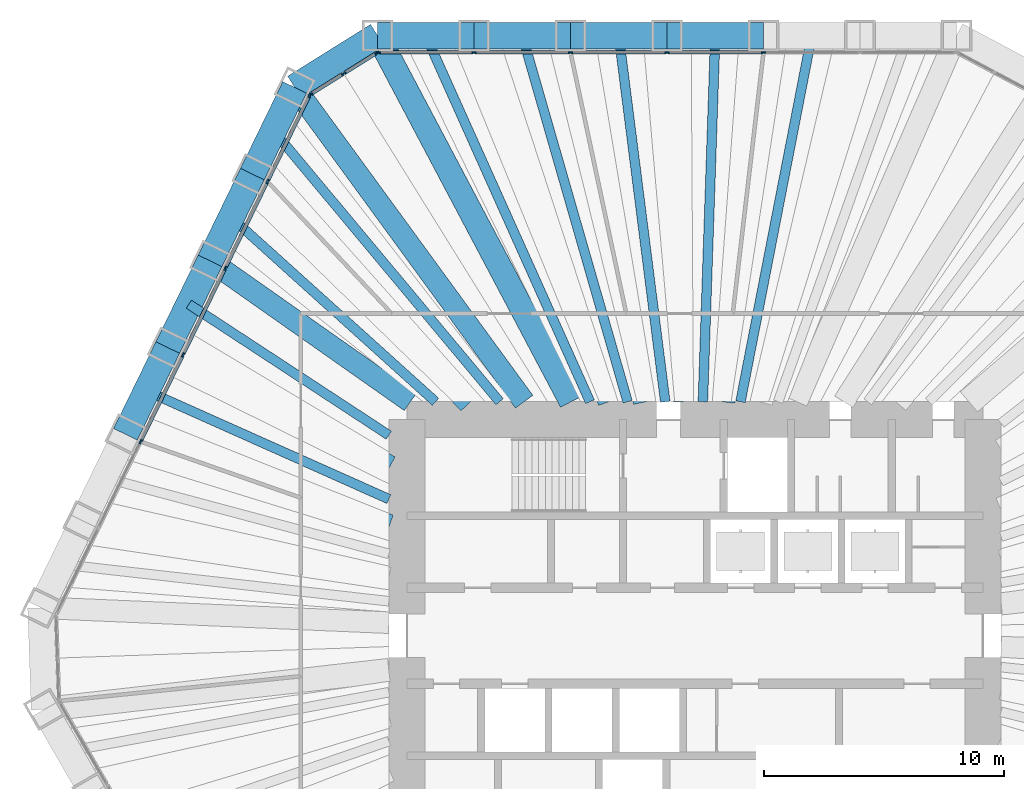
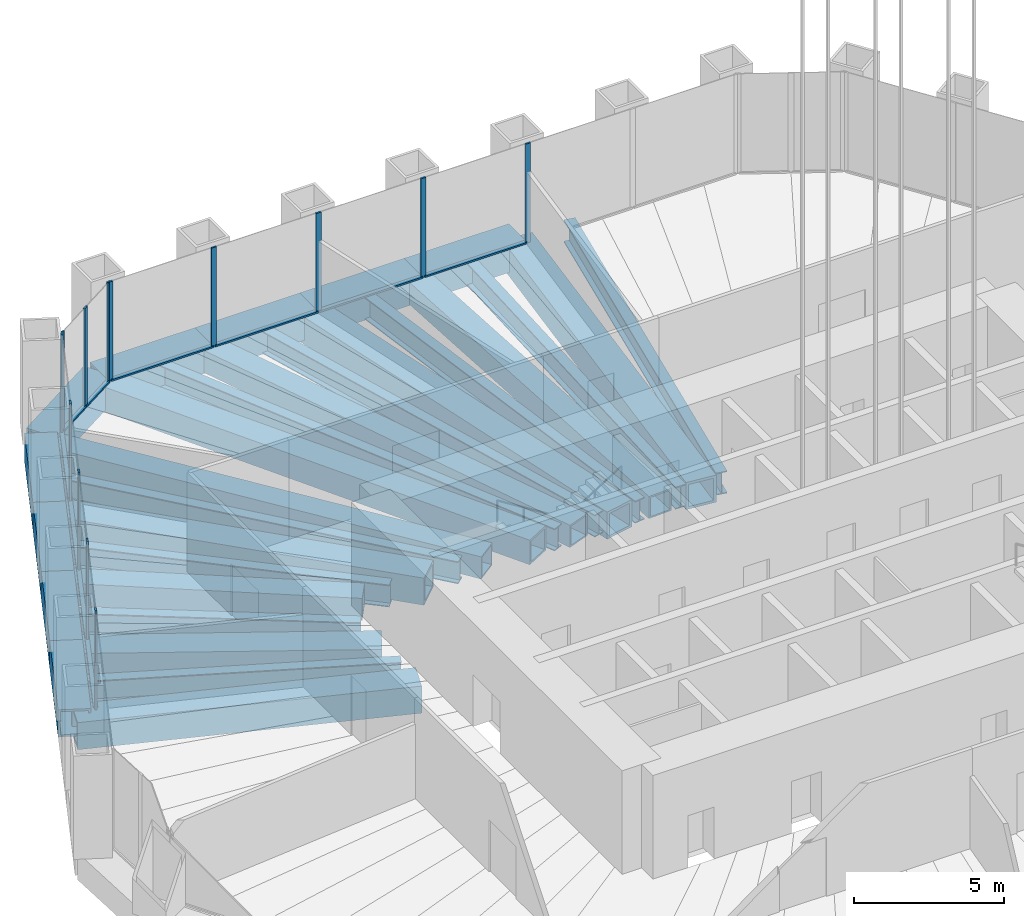
# One storey, part 6 of 20: 32 members, 19 beams, 3 elements without a shape of their own.
"""IFC4 building model written with IfcOpenShell, lengths in metres."""

from ifc_helpers import new_model, si_unit, direction, frame, origin, origin_2d, place, context, subcontext, project, spatial, rectangle, hollow_rectangle, i_section, extrude, material, material_profile, profile_set, type_object, element, aggregate, save


model = new_model("IFC4")

# Units and contexts
model_context = context("Model", 3, precision=1e-05, world=origin(), true_north=direction((0.0, 1.0)))
body_context = subcontext(model_context, "Body", "Model", "MODEL_VIEW")
ifc_project = project(units=[si_unit("LENGTHUNIT", "METRE"), si_unit("AREAUNIT", "SQUARE_METRE"), si_unit("VOLUMEUNIT", "CUBIC_METRE"), si_unit("PLANEANGLEUNIT", "RADIAN"), si_unit("MASSUNIT", "GRAM", prefix="KILO")], contexts=[model_context])

# Site, building, storey
site_placement = place(None, origin())
site = spatial("IfcSite", under=ifc_project, at=site_placement, CompositionType="ELEMENT")
building_placement = place(site_placement, origin())
building = spatial("IfcBuilding", under=site, at=building_placement, Name="Qingtian Harvest Tower", CompositionType="ELEMENT")
storey_placement = place(building_placement, frame((0.0, 0.0, 103.0)))
storey = spatial("IfcBuildingStorey", under=building, at=storey_placement, Name="L20", CompositionType="ELEMENT", Elevation=103.0)

# Members
ifc_material_1 = material(Name="Steel SM570MC", Category="steel")
ifc_material_profile_1 = material_profile(ifc_material_1, hollow_rectangle(XDim=1.10009765625, YDim=1.10009765625, WallThickness=0.080078125, at=origin_2d()), Name="BOX1100x1100x80")
ifc_profile_set_1 = profile_set([ifc_material_profile_1], Name="Steel SM570MC")
member_type_1 = type_object("IfcMemberType", Name="Belt truss chord BC1 BOX1100x1100x80", PredefinedType="CHORD", material=ifc_profile_set_1)
for number, where, z_axis, x_axis, name in (
    (1, (-13.2216796875, 25.0, -0.550048828125), (1.0, 0.0, 0.0), (0.0, 1.0, 0.0), "Belt chord BC1 N0"),
    (2, (-9.20263671875, 25.0, -0.550048828125), (1.0, 0.0, 0.0), (0.0, 1.0, 0.0), "Belt chord BC1 N1"),
    (3, (-5.18359375, 25.0, -0.550048828125), (1.0, 0.0, 0.0), (0.0, 1.0, 0.0), "Belt chord BC1 N2"),
    (4, (-1.16455078125, 25.0, -0.550048828125), (1.0, 0.0, 0.0), (0.0, 1.0, 0.0), "Belt chord BC1 N3"),
    (5, (-23.72119140625, 8.3935546875, -0.550048828125), (0.438347033158, 0.898805806902, 0.0), (-0.898805806902, 0.438347033158, 0.0), "Belt chord BC1 NW2"),
    (6, (-21.95947265625, 12.005859375, -0.550048828125), (0.438396105405, 0.89878187274, 0.0), (-0.89878187274, 0.438396105405, 0.0), "Belt chord BC1 NW3"),
    (7, (-20.197509765625, 15.6181640625, -0.550048828125), (0.438347033158, 0.898805806902, 0.0), (-0.898805806902, 0.438347033158, 0.0), "Belt chord BC1 NW4"),
    (8, (-18.435791015625, 19.23046875, -0.550048828125), (0.438396105405, 0.89878187274, 0.0), (-0.89878187274, 0.438396105405, 0.0), "Belt chord BC1 NW5"),
):
    element("IfcMember", number, at=place(storey_placement, frame(where, z_axis=z_axis, x_axis=x_axis)), inside=storey, type_object=member_type_1, Name=name, PredefinedType="CHORD", context=body_context, shape_type="SweptSolid", body=[
        extrude(hollow_rectangle(XDim=1.10009765625, YDim=1.10009765625, WallThickness=0.080078125, at=origin_2d()), origin(), (0.0, 0.0, 1.0), 4.01904296875),
    ])
member_1_placement = place(storey_placement, frame((-16.673828125, 22.8427734375, -0.550048828125), z_axis=(0.848038733752, 0.529934246919, 0.0), x_axis=(-0.529934246919, 0.848038733752, 0.0)))
element("IfcMember", 9, at=member_1_placement, inside=storey, type_object=member_type_1, Name="Belt chord BC1 NWC", PredefinedType="CHORD", context=body_context, shape_type="SweptSolid", body=[
    extrude(hollow_rectangle(XDim=1.10009765625, YDim=1.10009765625, WallThickness=0.080078125, at=origin_2d()), origin(), (0.0, 0.0, 1.0), 4.07080078125),
])

# Beams
ifc_material_2 = material(Name="Steel SN490B", Category="steel")
ifc_material_profile_2 = material_profile(ifc_material_2, i_section(OverallWidth=0.39990234375, OverallDepth=0.89990234375, WebThickness=0.01904296875, FlangeThickness=0.035888671875, at=origin_2d()), Name="H900x400x19x36")
ifc_profile_set_2 = profile_set([ifc_material_profile_2], Name="Steel SN490B")
beam_type_1 = type_object("IfcBeamType", Name="Floor joist J4 H900x400x19x36", PredefinedType="JOIST", material=ifc_profile_set_2)
beam_1_placement = place(storey_placement, frame((-11.212158203125, 25.0, -0.6201171875), z_axis=(0.409212761683, -0.912438992852, 0.0), x_axis=(0.912438992852, 0.409212761683, 0.0)))
element("IfcBeam", 10, at=beam_1_placement, inside=storey, type_object=beam_type_1, Name="Floor joist J4 N0", PredefinedType="JOIST", context=body_context, shape_type="SweptSolid", body=[
    extrude(i_section(OverallWidth=0.39990234375, OverallDepth=0.89990234375, WebThickness=0.01904296875, FlangeThickness=0.035888671875, at=origin_2d()), origin(), (0.0, 0.0, 1.0), 16.71337890625),
])
beam_2_placement = place(storey_placement, frame((-7.193115234375, 25.0, -0.6201171875), z_axis=(0.276500682027, -0.961013721462, 0.0), x_axis=(0.961013721462, 0.276500682027, 0.0)))
element("IfcBeam", 11, at=beam_2_placement, inside=storey, type_object=beam_type_1, Name="Floor joist J4 N1", PredefinedType="JOIST", context=body_context, shape_type="SweptSolid", body=[
    extrude(i_section(OverallWidth=0.39990234375, OverallDepth=0.89990234375, WebThickness=0.01904296875, FlangeThickness=0.035888671875, at=origin_2d()), origin(), (0.0, 0.0, 1.0), 15.86865234375),
])
beam_3_placement = place(storey_placement, frame((-3.174072265625, 25.0, -0.6201171875), z_axis=(0.125957899702, -0.992035587821, 0.0), x_axis=(0.992035587821, 0.125957899702, 0.0)))
element("IfcBeam", 12, at=beam_3_placement, inside=storey, type_object=beam_type_1, Name="Floor joist J4 N2", PredefinedType="JOIST", context=body_context, shape_type="SweptSolid", body=[
    extrude(i_section(OverallWidth=0.39990234375, OverallDepth=0.89990234375, WebThickness=0.01904296875, FlangeThickness=0.035888671875, at=origin_2d()), origin(), (0.0, 0.0, 1.0), 15.372314453125),
])
beam_4_placement = place(storey_placement, frame((0.844970703125, 25.0, -0.6201171875), z_axis=(-0.033776183237, -0.999429421943, 0.0), x_axis=(0.999429421943, -0.033776183237, 0.0)))
element("IfcBeam", 13, at=beam_4_placement, inside=storey, type_object=beam_type_1, Name="Floor joist J4 N3", PredefinedType="JOIST", context=body_context, shape_type="SweptSolid", body=[
    extrude(i_section(OverallWidth=0.39990234375, OverallDepth=0.89990234375, WebThickness=0.01904296875, FlangeThickness=0.035888671875, at=origin_2d()), origin(), (0.0, 0.0, 1.0), 15.2587890625),
])
beam_5_placement = place(storey_placement, frame((4.864013671875, 25.0, -0.6201171875), z_axis=(-0.190979017217, -0.981594119269, 0.0), x_axis=(0.981594119269, -0.190979017217, 0.0)))
element("IfcBeam", 14, at=beam_5_placement, inside=storey, type_object=beam_type_1, Name="Floor joist J4 N4", PredefinedType="JOIST", context=body_context, shape_type="SweptSolid", body=[
    extrude(i_section(OverallWidth=0.39990234375, OverallDepth=0.89990234375, WebThickness=0.01904296875, FlangeThickness=0.035888671875, at=origin_2d()), origin(), (0.0, 0.0, 1.0), 15.535888671875),
])
beam_6_placement = place(storey_placement, frame((-22.84033203125, 10.19970703125, -0.6201171875), z_axis=(0.913095877166, -0.407744919162, 0.0), x_axis=(0.407744919162, 0.913095877166, 0.0)))
element("IfcBeam", 15, at=beam_6_placement, inside=storey, type_object=beam_type_1, Name="Floor joist J4 NW2", PredefinedType="JOIST", context=body_context, shape_type="SweptSolid", body=[
    extrude(i_section(OverallWidth=0.39990234375, OverallDepth=0.89990234375, WebThickness=0.01904296875, FlangeThickness=0.035888671875, at=origin_2d()), origin(), (0.0, 0.0, 1.0), 11.05078125),
])
beam_7_placement = place(storey_placement, frame((-21.078369140625, 13.81201171875, -0.6201171875), z_axis=(0.836426246046, -0.548079496903, 0.0), x_axis=(0.548079496903, 0.836426246046, 0.0)))
element("IfcBeam", 16, at=beam_7_placement, inside=storey, type_object=beam_type_1, Name="Floor joist J4 NW3", PredefinedType="JOIST", context=body_context, shape_type="SweptSolid", body=[
    extrude(i_section(OverallWidth=0.39990234375, OverallDepth=0.89990234375, WebThickness=0.01904296875, FlangeThickness=0.035888671875, at=origin_2d()), origin(), (0.0, 0.0, 1.0), 9.95703125),
])
beam_8_placement = place(storey_placement, frame((-19.316650390625, 17.42431640625, -0.6201171875), z_axis=(0.742543540775, -0.669797797886, 0.0), x_axis=(0.669797797886, 0.742543540775, 0.0)))
element("IfcBeam", 17, at=beam_8_placement, inside=storey, type_object=beam_type_1, Name="Floor joist J4 NW4", PredefinedType="JOIST", context=body_context, shape_type="SweptSolid", body=[
    extrude(i_section(OverallWidth=0.39990234375, OverallDepth=0.89990234375, WebThickness=0.01904296875, FlangeThickness=0.035888671875, at=origin_2d()), origin(), (0.0, 0.0, 1.0), 11.457763671875),
])
beam_9_placement = place(storey_placement, frame((-17.5546875, 21.03662109375, -0.6201171875), z_axis=(0.640703730007, -0.767788206704, 0.0), x_axis=(0.767788206704, 0.640703730007, 0.0)))
element("IfcBeam", 18, at=beam_9_placement, inside=storey, type_object=beam_type_1, Name="Floor joist J4 NW5", PredefinedType="JOIST", context=body_context, shape_type="SweptSolid", body=[
    extrude(i_section(OverallWidth=0.39990234375, OverallDepth=0.89990234375, WebThickness=0.01904296875, FlangeThickness=0.035888671875, at=origin_2d()), origin(), (0.0, 0.0, 1.0), 14.7001953125),
])

# Curtain wall, members
ifc_material_3 = material(Name="Bronze-anodised aluminium curtain wall", Category="aluminium")
curtain_wall_type = type_object("IfcCurtainWallType", Name="Curtain wall CW3 sky lobby", PredefinedType="USERDEFINED", material=ifc_material_3)
curtain_wall_1_placement = place(storey_placement, origin())
curtain_wall_1 = element("IfcCurtainWall", 19, at=curtain_wall_1_placement, inside=storey, type_object=curtain_wall_type, Name="Curtain wall CW3 L20 N0-5", ObjectType="RECESSED CURTAIN WALL", PredefinedType="USERDEFINED")
ifc_material_4 = material(Name="Bronze-anodised aluminium mullion", Category="aluminium")
ifc_material_profile_3 = material_profile(ifc_material_4, rectangle(XDim=0.06494140625, YDim=0.199951171875, at=origin_2d()), Name="AL 65x200")
ifc_profile_set_3 = profile_set([ifc_material_profile_3], Name="Bronze-anodised aluminium mullion")
member_type_2 = type_object("IfcMemberType", Name="Mullion CWM 65x200", PredefinedType="MULLION", material=ifc_profile_set_3)
member_2_placement = place(storey_placement, frame((-13.189208984375, 24.300048828125, 0.0), z_axis=(0.0, 0.0, 1.0), x_axis=(0.0, 1.0, 0.0)))
member_2 = element("IfcMember", 20, at=member_2_placement, type_object=member_type_2, Name="CW3 mullion 1", PredefinedType="MULLION", context=body_context, shape_type="SweptSolid", body=[
    extrude(rectangle(XDim=0.06494140625, YDim=0.199951171875, at=origin_2d()), origin(), (0.0, 0.0, 1.0), 4.030029296875),
])
member_3_placement = place(storey_placement, frame((-9.20263671875, 24.300048828125, 0.0), z_axis=(0.0, 0.0, 1.0), x_axis=(0.0, 1.0, 0.0)))
member_3 = element("IfcMember", 21, at=member_3_placement, type_object=member_type_2, Name="CW3 mullion 2", PredefinedType="MULLION", context=body_context, shape_type="SweptSolid", body=[
    extrude(rectangle(XDim=0.06494140625, YDim=0.199951171875, at=origin_2d()), origin(), (0.0, 0.0, 1.0), 4.030029296875),
])
member_4_placement = place(storey_placement, frame((-5.18359375, 24.300048828125, 0.0), z_axis=(0.0, 0.0, 1.0), x_axis=(0.0, 1.0, 0.0)))
member_4 = element("IfcMember", 22, at=member_4_placement, type_object=member_type_2, Name="CW3 mullion 3", PredefinedType="MULLION", context=body_context, shape_type="SweptSolid", body=[
    extrude(rectangle(XDim=0.06494140625, YDim=0.199951171875, at=origin_2d()), origin(), (0.0, 0.0, 1.0), 4.030029296875),
])
member_5_placement = place(storey_placement, frame((-1.16455078125, 24.300048828125, 0.0), z_axis=(0.0, 0.0, 1.0), x_axis=(0.0, 1.0, 0.0)))
member_5 = element("IfcMember", 23, at=member_5_placement, type_object=member_type_2, Name="CW3 mullion 4", PredefinedType="MULLION", context=body_context, shape_type="SweptSolid", body=[
    extrude(rectangle(XDim=0.06494140625, YDim=0.199951171875, at=origin_2d()), origin(), (0.0, 0.0, 1.0), 4.030029296875),
])
member_6_placement = place(storey_placement, frame((2.8544921875, 24.300048828125, 0.0), z_axis=(0.0, 0.0, 1.0), x_axis=(0.0, 1.0, 0.0)))
member_6 = element("IfcMember", 24, at=member_6_placement, type_object=member_type_2, Name="CW3 mullion 5", PredefinedType="MULLION", context=body_context, shape_type="SweptSolid", body=[
    extrude(rectangle(XDim=0.06494140625, YDim=0.199951171875, at=origin_2d()), origin(), (0.0, 0.0, 1.0), 4.030029296875),
])

curtain_wall_2_placement = place(storey_placement, origin())
curtain_wall_2 = element("IfcCurtainWall", 25, at=curtain_wall_2_placement, inside=storey, type_object=curtain_wall_type, Name="Curtain wall CW3 L20 NW0-5", ObjectType="RECESSED CURTAIN WALL", PredefinedType="USERDEFINED")
member_7_placement = place(storey_placement, frame((-23.092041015625, 8.086669921875, 0.0), z_axis=(0.0, 0.0, 1.0), x_axis=(-0.898794046299, 0.438371146789, 0.0)))
member_7 = element("IfcMember", 26, at=member_7_placement, type_object=member_type_2, Name="CW3 mullion 3", PredefinedType="MULLION", context=body_context, shape_type="SweptSolid", body=[
    extrude(rectangle(XDim=0.06494140625, YDim=0.199951171875, at=origin_2d()), origin(), (0.0, 0.0, 1.0), 4.030029296875),
])
member_8_placement = place(storey_placement, frame((-21.330322265625, 11.698974609375, 0.0), z_axis=(0.0, 0.0, 1.0), x_axis=(-0.898794046299, 0.438371146789, 0.0)))
member_8 = element("IfcMember", 27, at=member_8_placement, type_object=member_type_2, Name="CW3 mullion 4", PredefinedType="MULLION", context=body_context, shape_type="SweptSolid", body=[
    extrude(rectangle(XDim=0.06494140625, YDim=0.199951171875, at=origin_2d()), origin(), (0.0, 0.0, 1.0), 4.030029296875),
])
member_9_placement = place(storey_placement, frame((-19.568359375, 15.311279296875, 0.0), z_axis=(0.0, 0.0, 1.0), x_axis=(-0.898794046299, 0.438371146789, 0.0)))
member_9 = element("IfcMember", 28, at=member_9_placement, type_object=member_type_2, Name="CW3 mullion 5", PredefinedType="MULLION", context=body_context, shape_type="SweptSolid", body=[
    extrude(rectangle(XDim=0.06494140625, YDim=0.199951171875, at=origin_2d()), origin(), (0.0, 0.0, 1.0), 4.030029296875),
])
member_10_placement = place(storey_placement, frame((-17.806396484375, 18.923828125, 0.0), z_axis=(0.0, 0.0, 1.0), x_axis=(-0.898794046299, 0.438371146789, 0.0)))
member_10 = element("IfcMember", 29, at=member_10_placement, type_object=member_type_2, Name="CW3 mullion 6", PredefinedType="MULLION", context=body_context, shape_type="SweptSolid", body=[
    extrude(rectangle(XDim=0.06494140625, YDim=0.199951171875, at=origin_2d()), origin(), (0.0, 0.0, 1.0), 4.030029296875),
])
member_11_placement = place(storey_placement, frame((-16.058837890625, 22.5068359375, 0.0), z_axis=(0.0, 0.0, 1.0), x_axis=(-0.898794046299, 0.438371146789, 0.0)))
member_11 = element("IfcMember", 30, at=member_11_placement, type_object=member_type_2, Name="CW3 mullion 7", PredefinedType="MULLION", context=body_context, shape_type="SweptSolid", body=[
    extrude(rectangle(XDim=0.06494140625, YDim=0.199951171875, at=origin_2d()), origin(), (0.0, 0.0, 1.0), 4.030029296875),
])

curtain_wall_3_placement = place(storey_placement, origin())
curtain_wall_3 = element("IfcCurtainWall", 31, at=curtain_wall_3_placement, inside=storey, type_object=curtain_wall_type, Name="Curtain wall CW3 L20 NWC", ObjectType="RECESSED CURTAIN WALL", PredefinedType="USERDEFINED")
member_12_placement = place(storey_placement, frame((-16.01708984375, 22.55322265625, 0.0), z_axis=(0.0, 0.0, 1.0), x_axis=(-0.529919264233, 0.848048096156, 0.0)))
member_12 = element("IfcMember", 32, at=member_12_placement, type_object=member_type_2, Name="CW3 mullion 1", PredefinedType="MULLION", context=body_context, shape_type="SweptSolid", body=[
    extrude(rectangle(XDim=0.06494140625, YDim=0.199951171875, at=origin_2d()), origin(), (0.0, 0.0, 1.0), 4.030029296875),
])
member_13_placement = place(storey_placement, frame((-14.63330078125, 23.41796875, 0.0), z_axis=(0.0, 0.0, 1.0), x_axis=(-0.529919264233, 0.848048096156, 0.0)))
member_13 = element("IfcMember", 33, at=member_13_placement, type_object=member_type_2, Name="CW3 mullion 2", PredefinedType="MULLION", context=body_context, shape_type="SweptSolid", body=[
    extrude(rectangle(XDim=0.06494140625, YDim=0.199951171875, at=origin_2d()), origin(), (0.0, 0.0, 1.0), 4.030029296875),
])
member_14_placement = place(storey_placement, frame((-13.249267578125, 24.28271484375, 0.0), z_axis=(0.0, 0.0, 1.0), x_axis=(-0.529919264233, 0.848048096156, 0.0)))
member_14 = element("IfcMember", 34, at=member_14_placement, type_object=member_type_2, Name="CW3 mullion 3", PredefinedType="MULLION", context=body_context, shape_type="SweptSolid", body=[
    extrude(rectangle(XDim=0.06494140625, YDim=0.199951171875, at=origin_2d()), origin(), (0.0, 0.0, 1.0), 4.030029296875),
])

# Beams
ifc_material_5 = material(Name="Steel SM570MC", Category="steel")
ifc_material_profile_4 = material_profile(ifc_material_5, hollow_rectangle(XDim=0.89990234375, YDim=0.89990234375, WallThickness=0.06005859375, at=origin_2d()), Name="BOX900x900x60")
ifc_profile_set_4 = profile_set([ifc_material_profile_4], Name="Steel SM570MC")
beam_type_2 = type_object("IfcBeamType", Name="Outrigger chord beam OC1 BOX900x900x60", PredefinedType="BEAM", material=ifc_profile_set_4)
beam_10_placement = place(storey_placement, frame((-9.20263671875, 25.0, -0.6201171875), z_axis=(0.345440084985, -0.938440806703, 0.0), x_axis=(0.938440806703, 0.345440084985, 0.0)))
element("IfcBeam", 35, at=beam_10_placement, inside=storey, type_object=beam_type_2, Name="Floor beam OC1 N1", PredefinedType="BEAM", context=body_context, shape_type="SweptSolid", body=[
    extrude(hollow_rectangle(XDim=0.89990234375, YDim=0.89990234375, WallThickness=0.06005859375, at=origin_2d()), origin(), (0.0, 0.0, 1.0), 16.250244140625),
])
beam_11_placement = place(storey_placement, frame((-1.16455078125, 25.0, -0.6201171875), z_axis=(0.046536361684, -0.998916596639, 0.0), x_axis=(0.998916596639, 0.046536361684, 0.0)))
element("IfcBeam", 36, at=beam_11_placement, inside=storey, type_object=beam_type_2, Name="Floor beam OC1 N3", PredefinedType="BEAM", context=body_context, shape_type="SweptSolid", body=[
    extrude(hollow_rectangle(XDim=0.89990234375, YDim=0.89990234375, WallThickness=0.06005859375, at=origin_2d()), origin(), (0.0, 0.0, 1.0), 15.2666015625),
])
beam_12_placement = place(storey_placement, frame((-20.197509765625, 15.6181640625, -0.6201171875), z_axis=(0.818080343043, -0.57510394915, 0.0), x_axis=(0.57510394915, 0.818080343043, 0.0)))
element("IfcBeam", 37, at=beam_12_placement, inside=storey, type_object=beam_type_2, Name="Floor beam OC1 NW4", PredefinedType="BEAM", context=body_context, shape_type="SweptSolid", body=[
    extrude(hollow_rectangle(XDim=0.89990234375, YDim=0.89990234375, WallThickness=0.06005859375, at=origin_2d()), origin(), (0.0, 0.0, 1.0), 10.20361328125),
])
beam_13_placement = place(storey_placement, frame((-16.673828125, 22.8427734375, -0.6201171875), z_axis=(0.589577703364, -0.807711663712, 0.0), x_axis=(0.807711663712, 0.589577703364, 0.0)))
element("IfcBeam", 38, at=beam_13_placement, inside=storey, type_object=beam_type_2, Name="Floor beam OC1 NW6", PredefinedType="BEAM", context=body_context, shape_type="SweptSolid", body=[
    extrude(hollow_rectangle(XDim=0.89990234375, YDim=0.89990234375, WallThickness=0.06005859375, at=origin_2d()), origin(), (0.0, 0.0, 1.0), 16.209716796875),
])
ifc_material_6 = material(Name="Steel SM570MC", Category="steel")
ifc_material_profile_5 = material_profile(ifc_material_6, hollow_rectangle(XDim=1.0, YDim=1.0, WallThickness=0.080078125, at=origin_2d()), Name="BOX1000x1000x80")
ifc_profile_set_5 = profile_set([ifc_material_profile_5], Name="Steel SM570MC")
beam_type_3 = type_object("IfcBeamType", Name="Transfer corner beam FB11 BOX1000x1000x80", PredefinedType="BEAM", material=ifc_profile_set_5)
beam_14_placement = place(storey_placement, frame((-13.2216796875, 25.0, -0.669921875), z_axis=(0.46750989692, -0.88398783718, 0.0), x_axis=(0.88398783718, 0.46750989692, 0.0)))
element("IfcBeam", 39, at=beam_14_placement, inside=storey, type_object=beam_type_3, Name="Floor beam FB11 N0", PredefinedType="BEAM", context=body_context, shape_type="SweptSolid", body=[
    extrude(hollow_rectangle(XDim=1.0, YDim=1.0, WallThickness=0.080078125, at=origin_2d()), origin(), (0.0, 0.0, 1.0), 17.25146484375),
])
ifc_material_7 = material(Name="Steel SM570MC", Category="steel")
ifc_material_profile_6 = material_profile(ifc_material_7, hollow_rectangle(XDim=1.10009765625, YDim=1.10009765625, WallThickness=0.10009765625, at=origin_2d()), Name="BOX1100x1100x100")
ifc_profile_set_6 = profile_set([ifc_material_profile_6], Name="Steel SM570MC")
beam_type_4 = type_object("IfcBeamType", Name="Transfer floor beam FB9 BOX1100x1100x100", PredefinedType="BEAM", material=ifc_profile_set_6)
beam_15_placement = place(storey_placement, frame((-5.18359375, 25.0, -0.719970703125), z_axis=(0.203032709566, -0.979171955709, 0.0), x_axis=(0.979171955709, 0.203032709566, 0.0)))
element("IfcBeam", 40, at=beam_15_placement, inside=storey, type_object=beam_type_4, Name="Floor beam FB9 N2", PredefinedType="BEAM", context=body_context, shape_type="SweptSolid", body=[
    extrude(hollow_rectangle(XDim=1.10009765625, YDim=1.10009765625, WallThickness=0.10009765625, at=origin_2d()), origin(), (0.0, 0.0, 1.0), 15.574462890625),
])
beam_16_placement = place(storey_placement, frame((2.8544921875, 25.0, -0.719970703125), z_axis=(-0.113440722222, -0.993544766249, 0.0), x_axis=(0.993544766249, -0.113440722222, 0.0)))
element("IfcBeam", 41, at=beam_16_placement, inside=storey, type_object=beam_type_4, Name="Floor beam FB9 N4", PredefinedType="BEAM", context=body_context, shape_type="SweptSolid", body=[
    extrude(hollow_rectangle(XDim=1.10009765625, YDim=1.10009765625, WallThickness=0.10009765625, at=origin_2d()), origin(), (0.0, 0.0, 1.0), 15.34912109375),
])
beam_17_placement = place(storey_placement, frame((-23.72119140625, 8.3935546875, -0.719970703125), z_axis=(0.942723186419, -0.333576068967, 0.0), x_axis=(0.333576068967, 0.942723186419, 0.0)))
element("IfcBeam", 42, at=beam_17_placement, inside=storey, type_object=beam_type_4, Name="Floor beam FB9 NW2", PredefinedType="BEAM", context=body_context, shape_type="SweptSolid", body=[
    extrude(hollow_rectangle(XDim=1.10009765625, YDim=1.10009765625, WallThickness=0.10009765625, at=origin_2d()), origin(), (0.0, 0.0, 1.0), 11.6376953125),
])
beam_18_placement = place(storey_placement, frame((-21.95947265625, 12.005859375, -0.719970703125), z_axis=(0.877432026785, -0.479700988505, 0.0), x_axis=(0.479700988505, 0.877432026785, 0.0)))
element("IfcBeam", 43, at=beam_18_placement, inside=storey, type_object=beam_type_4, Name="Floor beam FB9 NW3", PredefinedType="BEAM", context=body_context, shape_type="SweptSolid", body=[
    extrude(hollow_rectangle(XDim=1.10009765625, YDim=1.10009765625, WallThickness=0.10009765625, at=origin_2d()), origin(), (0.0, 0.0, 1.0), 10.495849609375),
])
beam_19_placement = place(storey_placement, frame((-18.435791015625, 19.23046875, -0.719970703125), z_axis=(0.69204101057, -0.721858185303, 0.0), x_axis=(0.721858185303, 0.69204101057, 0.0)))
element("IfcBeam", 44, at=beam_19_placement, inside=storey, type_object=beam_type_4, Name="Floor beam FB9 NW5", PredefinedType="BEAM", context=body_context, shape_type="SweptSolid", body=[
    extrude(hollow_rectangle(XDim=1.10009765625, YDim=1.10009765625, WallThickness=0.10009765625, at=origin_2d()), origin(), (0.0, 0.0, 1.0), 13.13330078125),
])

# Member
ifc_material_8 = material(Name="Bronze-anodised aluminium transom", Category="aluminium")
ifc_material_profile_7 = material_profile(ifc_material_8, rectangle(XDim=0.14990234375, YDim=0.06494140625, at=origin_2d()), Name="AL 65x150")
ifc_profile_set_7 = profile_set([ifc_material_profile_7], Name="Bronze-anodised aluminium transom")
member_type_3 = type_object("IfcMemberType", Name="Transom CWT 65x150", PredefinedType="USERDEFINED", material=ifc_profile_set_7)
member_15_placement = place(storey_placement, frame((-13.15673828125, 24.300048828125, 0.032470703125), z_axis=(1.0, 0.0, 0.0), x_axis=(0.0, 1.0, 0.0)))
member_15 = element("IfcMember", 45, at=member_15_placement, type_object=member_type_3, Name="CW3 transom 1.1", ObjectType="TRANSOM", PredefinedType="USERDEFINED", context=body_context, shape_type="SweptSolid", body=[
    extrude(rectangle(XDim=0.14990234375, YDim=0.06494140625, at=origin_2d()), origin(), (0.0, 0.0, 1.0), 3.921630859375),
])

member_16_placement = place(storey_placement, frame((-9.170166015625, 24.300048828125, 0.032470703125), z_axis=(1.0, 0.0, 0.0), x_axis=(0.0, 1.0, 0.0)))
member_16 = element("IfcMember", 46, at=member_16_placement, type_object=member_type_3, Name="CW3 transom 2.1", ObjectType="TRANSOM", PredefinedType="USERDEFINED", context=body_context, shape_type="SweptSolid", body=[
    extrude(rectangle(XDim=0.14990234375, YDim=0.06494140625, at=origin_2d()), origin(), (0.0, 0.0, 1.0), 3.9541015625),
])

member_17_placement = place(storey_placement, frame((-5.151123046875, 24.300048828125, 0.032470703125), z_axis=(1.0, 0.0, 0.0), x_axis=(0.0, 1.0, 0.0)))
member_17 = element("IfcMember", 47, at=member_17_placement, type_object=member_type_3, Name="CW3 transom 3.1", ObjectType="TRANSOM", PredefinedType="USERDEFINED", context=body_context, shape_type="SweptSolid", body=[
    extrude(rectangle(XDim=0.14990234375, YDim=0.06494140625, at=origin_2d()), origin(), (0.0, 0.0, 1.0), 3.9541015625),
])

member_18_placement = place(storey_placement, frame((-1.132080078125, 24.300048828125, 0.032470703125), z_axis=(1.0, 0.0, 0.0), x_axis=(0.0, 1.0, 0.0)))
member_18 = element("IfcMember", 48, at=member_18_placement, type_object=member_type_3, Name="CW3 transom 4.1", ObjectType="TRANSOM", PredefinedType="USERDEFINED", context=body_context, shape_type="SweptSolid", body=[
    extrude(rectangle(XDim=0.14990234375, YDim=0.06494140625, at=origin_2d()), origin(), (0.0, 0.0, 1.0), 3.9541015625),
])

aggregate(curtain_wall_1, [member_2, member_3, member_4, member_5, member_6, member_15, member_16, member_17, member_18])

member_19_placement = place(storey_placement, frame((-23.077880859375, 8.115966796875, 0.032470703125), z_axis=(0.438374972828, 0.898792180205, 0.0), x_axis=(-0.898792180205, 0.438374972828, 0.0)))
member_19 = element("IfcMember", 49, at=member_19_placement, type_object=member_type_3, Name="CW3 transom 3.1", ObjectType="TRANSOM", PredefinedType="USERDEFINED", context=body_context, shape_type="SweptSolid", body=[
    extrude(rectangle(XDim=0.14990234375, YDim=0.06494140625, at=origin_2d()), origin(), (0.0, 0.0, 1.0), 3.9541015625),
])

member_20_placement = place(storey_placement, frame((-21.31591796875, 11.728271484375, 0.032470703125), z_axis=(0.438374972828, 0.898792180205, 0.0), x_axis=(-0.898792180205, 0.438374972828, 0.0)))
member_20 = element("IfcMember", 50, at=member_20_placement, type_object=member_type_3, Name="CW3 transom 4.1", ObjectType="TRANSOM", PredefinedType="USERDEFINED", context=body_context, shape_type="SweptSolid", body=[
    extrude(rectangle(XDim=0.14990234375, YDim=0.06494140625, at=origin_2d()), origin(), (0.0, 0.0, 1.0), 3.9541015625),
])

member_21_placement = place(storey_placement, frame((-19.55419921875, 15.340576171875, 0.032470703125), z_axis=(0.438374972828, 0.898792180205, 0.0), x_axis=(-0.898792180205, 0.438374972828, 0.0)))
member_21 = element("IfcMember", 51, at=member_21_placement, type_object=member_type_3, Name="CW3 transom 5.1", ObjectType="TRANSOM", PredefinedType="USERDEFINED", context=body_context, shape_type="SweptSolid", body=[
    extrude(rectangle(XDim=0.14990234375, YDim=0.06494140625, at=origin_2d()), origin(), (0.0, 0.0, 1.0), 3.9541015625),
])

member_22_placement = place(storey_placement, frame((-17.792236328125, 18.952880859375, 0.032470703125), z_axis=(0.438351261745, 0.898803744611, 0.0), x_axis=(-0.898803744611, 0.438351261745, 0.0)))
member_22 = element("IfcMember", 52, at=member_22_placement, type_object=member_type_3, Name="CW3 transom 6.1", ObjectType="TRANSOM", PredefinedType="USERDEFINED", context=body_context, shape_type="SweptSolid", body=[
    extrude(rectangle(XDim=0.14990234375, YDim=0.06494140625, at=origin_2d()), origin(), (0.0, 0.0, 1.0), 3.92138671875),
])

aggregate(curtain_wall_2, [member_7, member_8, member_9, member_10, member_11, member_19, member_20, member_21, member_22])

member_23_placement = place(storey_placement, frame((-15.989501953125, 22.570556640625, 0.032470703125), z_axis=(0.848059570903, 0.529900900357, 0.0), x_axis=(-0.529900900357, 0.848059570903, 0.0)))
member_23 = element("IfcMember", 53, at=member_23_placement, type_object=member_type_3, Name="CW3 transom 1.1", ObjectType="TRANSOM", PredefinedType="USERDEFINED", context=body_context, shape_type="SweptSolid", body=[
    extrude(rectangle(XDim=0.14990234375, YDim=0.06494140625, at=origin_2d()), origin(), (0.0, 0.0, 1.0), 1.56689453125),
])

member_24_placement = place(storey_placement, frame((-14.605712890625, 23.435302734375, 0.032470703125), z_axis=(0.848059570903, 0.529900900357, 0.0), x_axis=(-0.529900900357, 0.848059570903, 0.0)))
member_24 = element("IfcMember", 54, at=member_24_placement, type_object=member_type_3, Name="CW3 transom 2.1", ObjectType="TRANSOM", PredefinedType="USERDEFINED", context=body_context, shape_type="SweptSolid", body=[
    extrude(rectangle(XDim=0.14990234375, YDim=0.06494140625, at=origin_2d()), origin(), (0.0, 0.0, 1.0), 1.56689453125),
])

aggregate(curtain_wall_3, [member_12, member_13, member_14, member_23, member_24])

save(model, "model.ifc")
